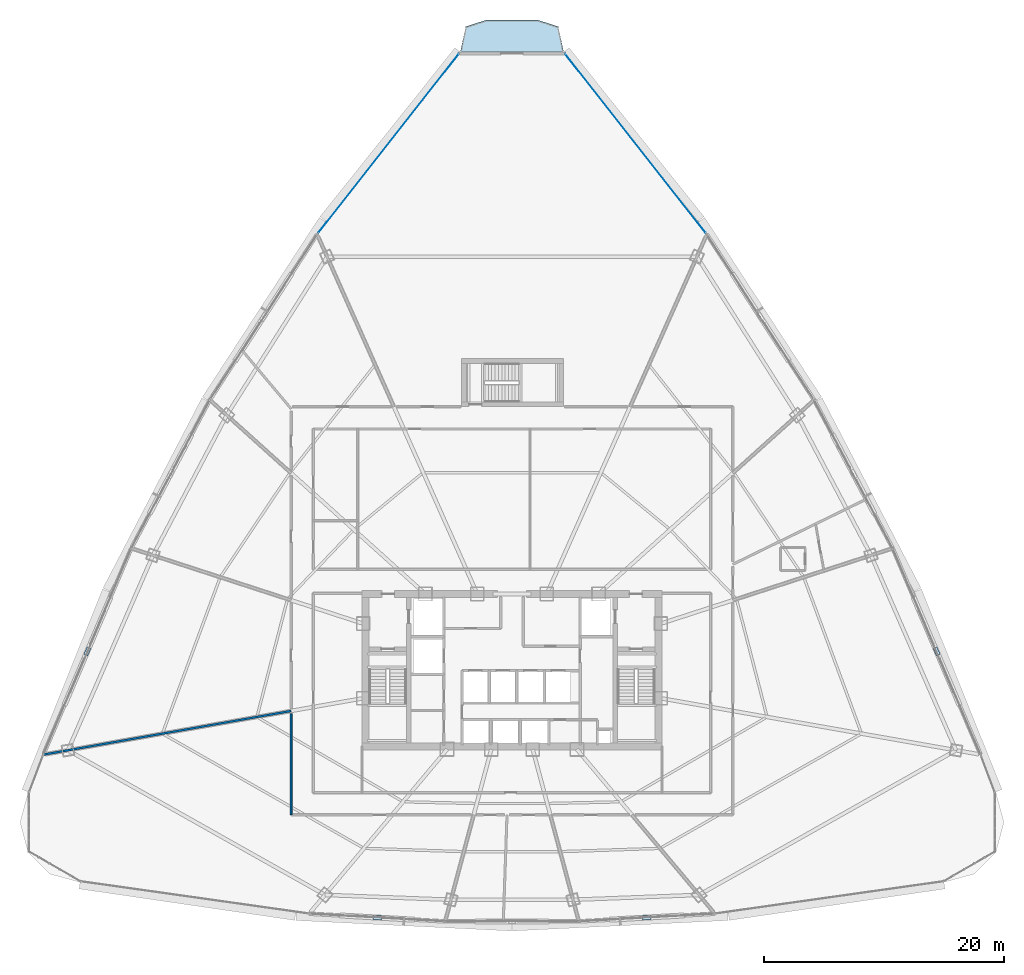
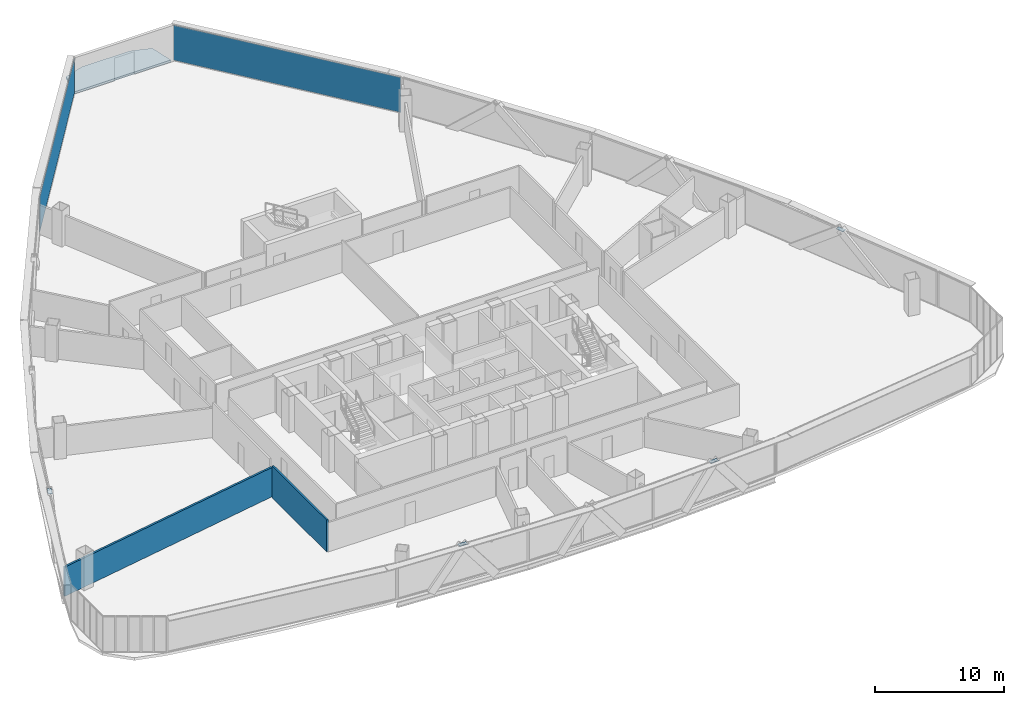
# One storey, part 34 of 42: 6 plates, 2 walls, 1 slab, 2 elements without a shape of their own.
"""IFC4 building model written with IfcOpenShell, lengths in metres."""

from ifc_helpers import new_model, si_unit, direction, frame, frame_2d, origin, origin_2d, place, context, subcontext, project, spatial, polyline, rectangle, outline, extrude, source, transform, mapped, material, layer, layer_set, type_object, element, aggregate, save


model = new_model("IFC4")

# Units and contexts
model_context = context("Model", 3, precision=1e-05, world=origin(), true_north=direction((0.0, 1.0)))
body_context = subcontext(model_context, "Body", "Model", "MODEL_VIEW")
ifc_project = project(units=[si_unit("LENGTHUNIT", "METRE"), si_unit("AREAUNIT", "SQUARE_METRE"), si_unit("VOLUMEUNIT", "CUBIC_METRE"), si_unit("PLANEANGLEUNIT", "RADIAN"), si_unit("MASSUNIT", "GRAM", prefix="KILO"), si_unit("THERMODYNAMICTEMPERATUREUNIT", "KELVIN"), si_unit("POWERUNIT", "WATT")], contexts=[model_context])

# Site, building, storey
site_placement = place(None, origin())
site = spatial("IfcSite", under=ifc_project, at=site_placement, CompositionType="ELEMENT")
building_placement = place(site_placement, origin())
building = spatial("IfcBuilding", under=site, at=building_placement, Name="Yunzhuo Pagoda Commons", CompositionType="ELEMENT")
storey_placement = place(building_placement, frame((0.0, 0.0, 133.510009765625)))
storey = spatial("IfcBuildingStorey", under=building, at=storey_placement, Name="L33", CompositionType="ELEMENT", Elevation=133.510009765625)

# Slab
ifc_material_1 = material(Name="Concrete C40", Category="concrete")
ifc_layer_1 = layer(ifc_material_1, 0.199951171875)
ifc_layer_set_1 = layer_set([ifc_layer_1], Name="Concrete C40")
slab_type = type_object("IfcSlabType", Name="SL-BAL Vertex Balcony Deck Slab 200", PredefinedType="FLOOR", material=ifc_layer_set_1)
slab_placement = place(storey_placement, frame((0.0, 0.0, -0.199951171875)))
element("IfcSlab", 1, at=slab_placement, inside=storey, type_object=slab_type, Name="L33 corner balcony V3", PredefinedType="FLOOR", context=body_context, shape_type="SweptSolid", body=[
    extrude(outline(polyline([(52.30126953125, 85.37841796875), (43.69873046875, 85.37841796875), (44.148681640625, 87.473388671875), (45.849365234375, 88.0234375), (50.150634765625, 88.0234375), (51.851318359375, 87.473388671875), (52.30126953125, 85.37841796875)])), origin(), (0.0, 0.0, 1.0), 0.199951171875),
])

# Plates
ifc_material_2 = material(Name="Structural steel Q355B", Category="steel")
ifc_layer_2 = layer(ifc_material_2, 0.028076171875)
ifc_layer_set_2 = layer_set([ifc_layer_2], Name="Structural steel Q355B")
plate_type_1 = type_object("IfcPlateType", Name="SP-ND1 Lattice Node Cap Plate 800x500x28", PredefinedType="USERDEFINED", material=ifc_layer_set_2)
shared_shape_1 = source(origin(), body_context, "Body", "SweptSolid", [
    extrude(rectangle(XDim=0.699951171875, YDim=0.35009765625, at=origin_2d()), origin(), (0.0, 0.0, 1.0), 0.035888671875),
])
for number, where, z_axis, x_axis, name in (
    (2, (36.7666015625, 13.239501953125, 3.3818359375), (0.0, 0.0, 1.0), (0.998388700761, -0.056745063151, 0.0), "L33 setback lattice tie plate F1.1L"),
    (3, (59.2333984375, 13.239501953125, 3.3818359375), (0.0, 0.0, 1.0), (0.998388700761, 0.056745063151, 0.0), "L33 setback lattice tie plate F1.3L"),
    (4, (83.38427734375, 35.41064453125, 3.3818359375), (0.0, 0.0, 1.0), (-0.392080238691, 0.919931022647, 0.0), "L33 setback lattice tie plate F2.1L"),
    (5, (12.61572265625, 35.41064453125, 3.3818359375), (0.0, 0.0, 1.0), (-0.392080238691, -0.919931022647, 0.0), "L33 setback lattice tie plate F3.3L"),
):
    element("IfcPlate", number, at=place(storey_placement, frame(where, z_axis=z_axis, x_axis=x_axis)), inside=storey, type_object=plate_type_1, Name=name, ObjectType="STIFFENER_PLATE", PredefinedType="USERDEFINED", context=body_context, shape_type="MappedRepresentation", body=[
        mapped(shared_shape_1, transform((0.0, 0.0, 0.0), scale=1.0)),
    ])

# Curtain wall, plate
ifc_material_3 = material(Name="Anodized aluminium 6063-T6", Category="aluminium")
ifc_layer_3 = layer(ifc_material_3, 0.14990234375)
ifc_layer_set_3 = layer_set([ifc_layer_3], Name="Anodized aluminium 6063-T6")
curtain_wall_type = type_object("IfcCurtainWallType", Name="CW-MID Mid-Zone Ribbon Curtain Wall", PredefinedType="NOTDEFINED", material=ifc_layer_set_3)
curtain_wall_1_placement = place(storey_placement, origin())
curtain_wall_1 = element("IfcCurtainWall", 6, at=curtain_wall_1_placement, inside=storey, type_object=curtain_wall_type, Name="L33 curtain wall CW-L33-F2B5", PredefinedType="NOTDEFINED")
ifc_material_4 = material(Name="Tempered low-e double glazing", Category="glass")
ifc_layer_4 = layer(ifc_material_4, 0.028076171875)
ifc_layer_set_4 = layer_set([ifc_layer_4], Name="Tempered low-e double glazing")
plate_type_2 = type_object("IfcPlateType", Name="CW-MID-P Low-E Double Glazing 28", PredefinedType="CURTAIN_PANEL", material=ifc_layer_set_4)
shared_shape_2 = source(origin(), body_context, "Body", "SweptSolid", [
    extrude(rectangle(XDim=18.9765625, YDim=0.028076171875, at=origin_2d()), origin(), (0.0, 0.0, 1.0), 3.31005859375),
])
plate_1_placement = place(storey_placement, frame((58.292236328125, 77.733154296875, 0.054931640625), z_axis=(0.0, 0.0, 1.0), x_axis=(-0.617499113588, 0.786571576347, 0.0)))
plate_1 = element("IfcPlate", 7, at=plate_1_placement, type_object=plate_type_2, Name="CW panel 1.1", PredefinedType="CURTAIN_PANEL", context=body_context, shape_type="MappedRepresentation", body=[
    mapped(shared_shape_2, transform((0.0, 0.0, 0.0), scale=1.0)),
])
aggregate(curtain_wall_1, [plate_1])

curtain_wall_2_placement = place(storey_placement, origin())
curtain_wall_2 = element("IfcCurtainWall", 8, at=curtain_wall_2_placement, inside=storey, type_object=curtain_wall_type, Name="L33 curtain wall CW-L33-F3B1", PredefinedType="NOTDEFINED")
plate_2_placement = place(storey_placement, frame((37.707763671875, 77.733154296875, 0.054931640625), z_axis=(0.0, 0.0, 1.0), x_axis=(-0.617499113588, -0.786571576347, 0.0)))
plate_2 = element("IfcPlate", 9, at=plate_2_placement, type_object=plate_type_2, Name="CW panel 1.1", PredefinedType="CURTAIN_PANEL", context=body_context, shape_type="MappedRepresentation", body=[
    mapped(shared_shape_2, transform((0.0, 0.0, 0.0), scale=1.0)),
])
aggregate(curtain_wall_2, [plate_2])

# Walls
ifc_material_5 = material(Name="Gypsum plasterboard on acoustic stud")
ifc_layer_5 = layer(ifc_material_5, 0.155029296875)
ifc_layer_set_5 = layer_set([ifc_layer_5], Name="Gypsum plasterboard on acoustic stud")
wall_type_1 = type_object("IfcWallType", Name="W-COR2 Mid-Zone Rated Corridor Wall 155", PredefinedType="PARTITIONING", material=ifc_layer_set_5)
wall_1_placement = place(storey_placement, frame((29.60009765625, 21.800048828125, 0.0), z_axis=(0.0, 0.0, 1.0), x_axis=(0.0, 1.0, 0.0)))
element("IfcWall", 10, at=wall_1_placement, inside=storey, type_object=wall_type_1, Name="L33 interior wall IW-L33-CWL01", PredefinedType="PARTITIONING", context=body_context, shape_type="SweptSolid", body=[
    extrude(rectangle(XDim=8.43212890625, YDim=0.155029296875, at=frame_2d((4.216064453125, 0.0))), origin(), (0.0, 0.0, 1.0), 3.02001953125),
])
ifc_layer_6 = layer(ifc_material_5, 0.175048828125)
ifc_layer_set_6 = layer_set([ifc_layer_6], Name="Gypsum plasterboard on acoustic stud")
wall_type_2 = type_object("IfcWallType", Name="W-PRT3 Mid-Zone Demising Wall 175", PredefinedType="PARTITIONING", material=ifc_layer_set_6)
wall_2_placement = place(storey_placement, frame((29.60009765625, 30.45556640625, 0.0), z_axis=(0.0, 0.0, 1.0), x_axis=(-0.98480711194, -0.173651813328, 0.0)))
element("IfcWall", 11, at=wall_2_placement, inside=storey, type_object=wall_type_2, Name="L33 interior wall IW-L33-RAD09", PredefinedType="PARTITIONING", context=body_context, shape_type="SweptSolid", body=[
    extrude(rectangle(XDim=20.966552734375, YDim=0.175048828125, at=frame_2d((10.4833984375, 0.0))), origin(), (0.0, 0.0, 1.0), 2.77001953125),
])

save(model, "model.ifc")
